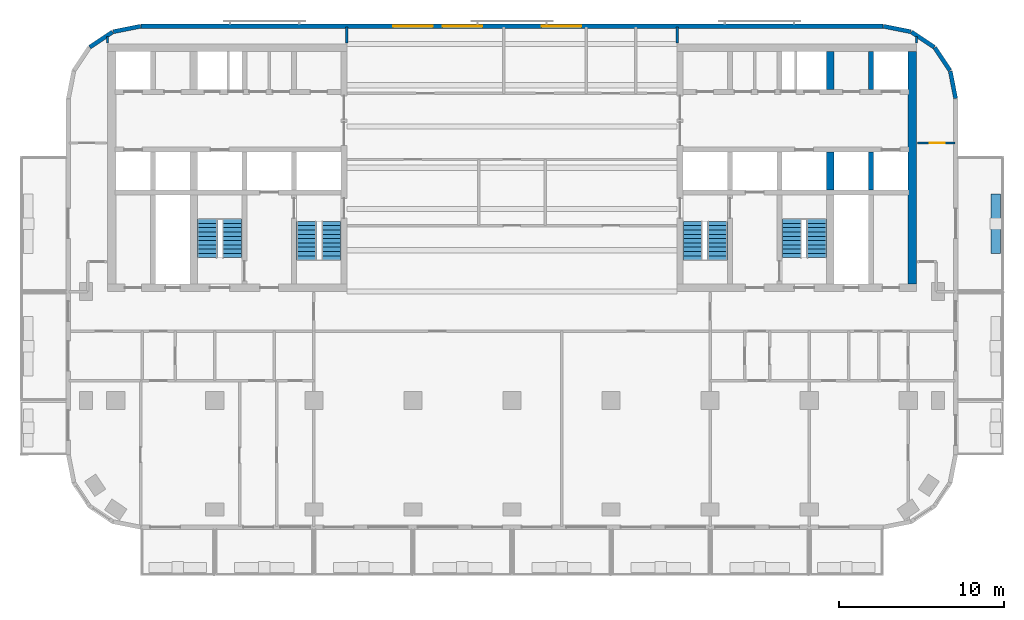
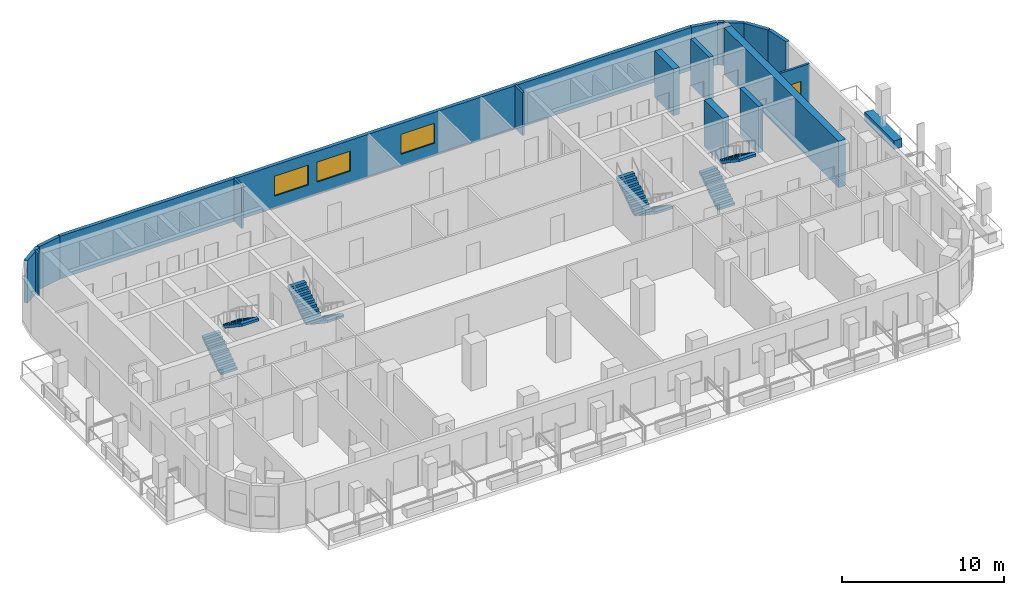
# One storey, part 7 of 11: 18 walls, 8 stair flights, 3 windows, 1 door, 4 openings, 4 elements without a shape of their own.
"""IFC4 building model written with IfcOpenShell, lengths in metres."""

from ifc_helpers import new_model, si_unit, direction, frame, frame_2d, origin, place, context, subcontext, project, spatial, polyline, rectangle, outline, extrude, material, layer, layer_set, type_object, element, fill, aggregate, save


model = new_model("IFC4")

# Units and contexts
model_context = context("Model", 3, precision=1e-05, world=origin(), true_north=direction((0.0, 1.0)))
body_context = subcontext(model_context, "Body", "Model", "MODEL_VIEW")
ifc_project = project(units=[si_unit("LENGTHUNIT", "METRE"), si_unit("AREAUNIT", "SQUARE_METRE"), si_unit("VOLUMEUNIT", "CUBIC_METRE"), si_unit("PLANEANGLEUNIT", "RADIAN"), si_unit("MASSUNIT", "GRAM", prefix="KILO")], contexts=[model_context])

# Site, building, storey
site_placement = place(None, origin())
site = spatial("IfcSite", under=ifc_project, at=site_placement, CompositionType="ELEMENT")
building_placement = place(site_placement, origin())
building = spatial("IfcBuilding", under=site, at=building_placement, Name="Torana Hotel and Residences", CompositionType="ELEMENT")
storey_placement = place(building_placement, frame((0.0, 0.0, 211.60009765625)))
storey = spatial("IfcBuildingStorey", under=building, at=storey_placement, Name="L55", CompositionType="ELEMENT", Elevation=211.60009765625)

# Walls
ifc_material_1 = material(Name="Concrete C70/85", Category="concrete")
ifc_layer_1 = layer(ifc_material_1, 0.300048828125)
ifc_layer_set_1 = layer_set([ifc_layer_1], Name="CORE WALL 300 C70/85")
wall_type_1 = type_object("IfcWallType", Name="CORE WALL 300 C70/85", PredefinedType="SHEAR", material=ifc_layer_set_1)
for number, where, z_axis, x_axis, name in (
    (1, (21.75, -2.75, 0.0), (0.0, 0.0, 1.0), (0.0, 1.0, 0.0), "Core wall E mm-N"),
    (2, (21.75, -8.85009765625, 0.0), (0.0, 0.0, 1.0), (0.0, 1.0, 0.0), "Core wall E mm-S"),
):
    element("IfcWall", number, at=place(storey_placement, frame(where, z_axis=z_axis, x_axis=x_axis)), inside=storey, type_object=wall_type_1, Name=name, PredefinedType="SHEAR", context=body_context, shape_type="SweptSolid", body=[
        extrude(rectangle(XDim=2.300048828125, YDim=0.300048828125, at=frame_2d((1.14990234375, 0.0))), origin(), (0.0, 0.0, 1.0), 3.5),
    ])
ifc_material_2 = material(Name="Concrete C70/85", Category="concrete")
ifc_layer_2 = layer(ifc_material_2, 0.449951171875)
ifc_layer_set_2 = layer_set([ifc_layer_2], Name="CORE WALL 450 C70/85")
wall_type_2 = type_object("IfcWallType", Name="CORE WALL 450 C70/85", PredefinedType="SHEAR", material=ifc_layer_set_2)
for number, where, z_axis, x_axis, name in (
    (3, (19.27490234375, -2.75, 0.0), (0.0, 0.0, 1.0), (0.0, 1.0, 0.0), "Core wall E hm-N"),
    (4, (19.27490234375, -8.85009765625, 0.0), (0.0, 0.0, 1.0), (0.0, 1.0, 0.0), "Core wall E hm-S"),
):
    element("IfcWall", number, at=place(storey_placement, frame(where, z_axis=z_axis, x_axis=x_axis)), inside=storey, type_object=wall_type_2, Name=name, PredefinedType="SHEAR", context=body_context, shape_type="SweptSolid", body=[
        extrude(rectangle(XDim=2.300048828125, YDim=0.449951171875, at=frame_2d((1.14990234375, 0.0))), origin(), (0.0, 0.0, 1.0), 3.5),
    ])
ifc_material_3 = material(Name="Concrete C70/85", Category="concrete")
ifc_layer_3 = layer(ifc_material_3, 0.5)
ifc_layer_set_3 = layer_set([ifc_layer_3], Name="CORE WALL 500 C70/85")
wall_type_3 = type_object("IfcWallType", Name="CORE WALL 500 C70/85", PredefinedType="SHEAR", material=ifc_layer_set_3)
wall_1_placement = place(storey_placement, frame((24.25, -14.550048828125, 0.0), z_axis=(0.0, 0.0, 1.0), x_axis=(0.0, 1.0, 0.0)))
element("IfcWall", 5, at=wall_1_placement, inside=storey, type_object=wall_type_3, Name="Core wall E outer", PredefinedType="SHEAR", context=body_context, shape_type="SweptSolid", body=[
    extrude(rectangle(XDim=14.10009765625, YDim=0.5, at=frame_2d((7.050048828125, 0.0))), origin(), (0.0, 0.0, 1.0), 3.5),
])
ifc_material_4 = material(Name="Black aluminium composite panel", Category="aluminium")
ifc_layer_4 = layer(ifc_material_4, 0.00390625, Name="Cladding", Category="cladding")
ifc_material_5 = material(Name="Ventilated air cavity")
ifc_layer_5 = layer(ifc_material_5, 0.0400390625, Name="Ventilated cavity", Category="cavity")
ifc_material_6 = material(Name="Mineral wool insulation")
ifc_layer_6 = layer(ifc_material_6, 0.090087890625, Name="Insulation", Category="insulation")
ifc_material_7 = material(Name="Steel S280GD", Category="steel")
ifc_layer_7 = layer(ifc_material_7, 0.092041015625, Name="Steel stud frame", Category="structure")
ifc_material_8 = material(Name="Fire rated plasterboard")
ifc_layer_8 = layer(ifc_material_8, 0.011962890625, Name="Inner board", Category="finish")
ifc_layer_9 = layer(ifc_material_8, 0.011962890625, Name="Second board", Category="finish")
ifc_layer_set_4 = layer_set([ifc_layer_4, ifc_layer_5, ifc_layer_6, ifc_layer_7, ifc_layer_8, ifc_layer_9], Name="EW1 EXTERNAL WALL BLACK METAL CLAD 250")
wall_type_4 = type_object("IfcWallType", Name="EW1 EXTERNAL WALL BLACK METAL CLAD 250", PredefinedType="SOLIDWALL", material=ifc_layer_set_4)
wall_2_placement = place(storey_placement, frame((26.87255859375, -3.30029296875, 0.0), z_axis=(0.0, 0.0, 1.0), x_axis=(-0.194999110559, 0.980803419081, 0.0)))
element("IfcWall", 6, at=wall_2_placement, inside=storey, type_object=wall_type_4, Name="External wall L55 e0.0", PredefinedType="SOLIDWALL", context=body_context, shape_type="SweptSolid", body=[
    extrude(rectangle(XDim=1.681396484375, YDim=0.25, at=frame_2d((0.8408203125, 0.0))), origin(), (0.0, 0.0, 1.0), 3.219970703125),
])
for number, where, z_axis, x_axis, name in (
    (7, (26.52587890625, -1.60595703125, 0.0), (0.0, 0.0, 1.0), (-0.55555029066, 0.831482937015, 0.0), "External wall L55 e0.1"),
    (8, (25.5712890625, -0.1943359375, 0.0), (0.0, 0.0, 1.0), (-0.831482937015, 0.55555029066, 0.0), "External wall L55 e0.2"),
):
    element("IfcWall", number, at=place(storey_placement, frame(where, z_axis=z_axis, x_axis=x_axis)), inside=storey, type_object=wall_type_4, Name=name, PredefinedType="SOLIDWALL", context=body_context, shape_type="SweptSolid", body=[
        extrude(rectangle(XDim=1.65625, YDim=0.25, at=frame_2d((0.828125, 0.0))), origin(), (0.0, 0.0, 1.0), 3.219970703125),
    ])
for number, where, z_axis, x_axis, name in (
    (9, (24.14892578125, 0.74462890625, 0.0), (0.0, 0.0, 1.0), (-0.980803419081, 0.194999110559, 0.0), "External wall L55 e0.3"),
    (10, (-22.499755859375, 1.072509765625, 0.0), (0.0, 0.0, 1.0), (-0.980803419081, -0.194999110559, 0.0), "External wall L55 e0.5"),
):
    element("IfcWall", number, at=place(storey_placement, frame(where, z_axis=z_axis, x_axis=x_axis)), inside=storey, type_object=wall_type_4, Name=name, PredefinedType="SOLIDWALL", context=body_context, shape_type="SweptSolid", body=[
        extrude(rectangle(XDim=1.681396484375, YDim=0.25, at=frame_2d((0.8408203125, 0.0))), origin(), (0.0, 0.0, 1.0), 3.219970703125),
    ])
wall_3_placement = place(storey_placement, frame((-24.194091796875, 0.725830078125, 0.0), z_axis=(0.0, 0.0, 1.0), x_axis=(-0.831482937015, -0.55555029066, 0.0)))
element("IfcWall", 11, at=wall_3_placement, inside=storey, type_object=wall_type_4, Name="External wall L55 e0.6", PredefinedType="SOLIDWALL", context=body_context, shape_type="SweptSolid", body=[
    extrude(rectangle(XDim=1.65625, YDim=0.25, at=frame_2d((0.828125, 0.0))), origin(), (0.0, 0.0, 1.0), 3.219970703125),
])

# Wall, openings, windows
ifc_material_9 = material(Name="Concrete C40/50 precast", Category="concrete")
ifc_layer_10 = layer(ifc_material_9, 0.10009765625, Name="Perforated block", Category="cladding")
ifc_material_10 = material(Name="Air cavity")
ifc_layer_11 = layer(ifc_material_10, 0.030029296875, Name="Cavity", Category="cavity")
ifc_material_11 = material(Name="Concrete C40/50", Category="concrete")
ifc_layer_12 = layer(ifc_material_11, 0.10009765625, Name="Wall", Category="structure")
ifc_material_12 = material(Name="Plaster and paint")
ifc_layer_13 = layer(ifc_material_12, 0.02001953125, Name="Inner finish", Category="finish")
ifc_layer_set_5 = layer_set([ifc_layer_10, ifc_layer_11, ifc_layer_12, ifc_layer_13], Name="EW2 PERFORATED BLOCK SCREEN WALL 250")
wall_type_5 = type_object("IfcWallType", Name="EW2 PERFORATED BLOCK SCREEN WALL 250", PredefinedType="SOLIDWALL", material=ifc_layer_set_5)
wall_4_placement = place(storey_placement, frame((22.475341796875, 1.074951171875, 0.0), z_axis=(0.0, 0.0, 1.0), x_axis=(-1.0, 0.0, 0.0)))
wall_4 = element("IfcWall", 12, at=wall_4_placement, inside=storey, type_object=wall_type_5, Name="External wall L55 e0.4", PredefinedType="SOLIDWALL", context=body_context, shape_type="SweptSolid", body=[
    extrude(rectangle(XDim=44.95068359375, YDim=0.25, at=frame_2d((22.475341796875, 0.0))), origin(), (0.0, 0.0, 1.0), 3.219970703125),
])
opening_1_placement = place(wall_4_placement, frame((18.275390625, 0.0, 0.89990234375)))
opening_1 = element("IfcOpeningElement", 13, at=opening_1_placement, cuts=wall_4, Name="Opening W3", PredefinedType="OPENING", context=body_context, shape_type="SweptSolid", body=[
    extrude(rectangle(XDim=2.39990234375, YDim=1.5, at=frame_2d((1.199951171875, 0.75))), frame((0.0, 0.135009765625, 0.0), z_axis=(0.0, -1.0, 0.0), x_axis=(1.0, 0.0, 0.0)), (0.0, 0.0, 1.0), 0.27001953125),
])
opening_2_placement = place(wall_4_placement, frame((24.275390625, 0.0, 0.89990234375)))
opening_2 = element("IfcOpeningElement", 14, at=opening_2_placement, cuts=wall_4, Name="Opening W3", PredefinedType="OPENING", context=body_context, shape_type="SweptSolid", body=[
    extrude(rectangle(XDim=2.39990234375, YDim=1.5, at=frame_2d((1.199951171875, 0.75))), frame((0.0, 0.135009765625, 0.0), z_axis=(0.0, -1.0, 0.0), x_axis=(1.0, 0.0, 0.0)), (0.0, 0.0, 1.0), 0.27001953125),
])
opening_3_placement = place(wall_4_placement, frame((27.275390625, 0.0, 0.89990234375)))
opening_3 = element("IfcOpeningElement", 15, at=opening_3_placement, cuts=wall_4, Name="Opening W3", PredefinedType="OPENING", context=body_context, shape_type="SweptSolid", body=[
    extrude(rectangle(XDim=2.39990234375, YDim=1.5, at=frame_2d((1.199951171875, 0.75))), frame((0.0, 0.135009765625, 0.0), z_axis=(0.0, -1.0, 0.0), x_axis=(1.0, 0.0, 0.0)), (0.0, 0.0, 1.0), 0.27001953125),
])
ifc_material_13 = material(Name="Dark glass in black aluminium frame", Category="aluminium")
window_type = type_object("IfcWindowType", Name="W3 RESIDENCE WINDOW 2400x1500", PartitioningType="SINGLE_PANEL", PredefinedType="WINDOW", material=ifc_material_13)
window_1_placement = place(opening_1_placement, origin())
window_1 = element("IfcWindow", 16, at=window_1_placement, inside=storey, type_object=window_type, Name="Window L55", OverallHeight=1.5, OverallWidth=2.39990234375, PartitioningType="SINGLE_PANEL", PredefinedType="WINDOW", context=body_context, shape_type="SweptSolid", body=[
    extrude(rectangle(XDim=2.39990234375, YDim=1.5, at=frame_2d((1.199951171875, 0.75))), frame((0.0, 0.030029296875, 0.0), z_axis=(0.0, -1.0, 0.0), x_axis=(1.0, 0.0, 0.0)), (0.0, 0.0, 1.0), 0.06005859375),
])
fill(opening_1, window_1)
window_2_placement = place(opening_2_placement, origin())
window_2 = element("IfcWindow", 17, at=window_2_placement, inside=storey, type_object=window_type, Name="Window L55", OverallHeight=1.5, OverallWidth=2.39990234375, PartitioningType="SINGLE_PANEL", PredefinedType="WINDOW", context=body_context, shape_type="SweptSolid", body=[
    extrude(rectangle(XDim=2.39990234375, YDim=1.5, at=frame_2d((1.199951171875, 0.75))), frame((0.0, 0.030029296875, 0.0), z_axis=(0.0, -1.0, 0.0), x_axis=(1.0, 0.0, 0.0)), (0.0, 0.0, 1.0), 0.06005859375),
])
fill(opening_2, window_2)
window_3_placement = place(opening_3_placement, origin())
window_3 = element("IfcWindow", 18, at=window_3_placement, inside=storey, type_object=window_type, Name="Window L55", OverallHeight=1.5, OverallWidth=2.39990234375, PartitioningType="SINGLE_PANEL", PredefinedType="WINDOW", context=body_context, shape_type="SweptSolid", body=[
    extrude(rectangle(XDim=2.39990234375, YDim=1.5, at=frame_2d((1.199951171875, 0.75))), frame((0.0, 0.030029296875, 0.0), z_axis=(0.0, -1.0, 0.0), x_axis=(1.0, 0.0, 0.0)), (0.0, 0.0, 1.0), 0.06005859375),
])
fill(opening_3, window_3)

# Walls
ifc_material_14 = material(Name="Gypsum plasterboard")
ifc_layer_14 = layer(ifc_material_14, 0.012451171875, Name="Plasterboard", Category="finish")
ifc_layer_15 = layer(ifc_material_14, 0.012451171875, Name="Plasterboard", Category="finish")
ifc_layer_16 = layer(ifc_material_7, 0.10009765625, Name="Steel studs with mineral wool", Category="insulation")
ifc_layer_17 = layer(ifc_material_14, 0.012451171875, Name="Plasterboard", Category="finish")
ifc_layer_18 = layer(ifc_material_14, 0.012451171875, Name="Plasterboard", Category="finish")
ifc_layer_set_6 = layer_set([ifc_layer_14, ifc_layer_15, ifc_layer_16, ifc_layer_17, ifc_layer_18], Name="PARTITION 150 PLASTERBOARD")
wall_type_6 = type_object("IfcWallType", Name="PARTITION 150 PLASTERBOARD", PredefinedType="PARTITIONING", material=ifc_layer_set_6)
wall_5_placement = place(storey_placement, frame((24.5, 0.050048828125, 0.0), z_axis=(0.0, 0.0, 1.0), x_axis=(0.0, 1.0, 0.0)))
element("IfcWall", 19, at=wall_5_placement, inside=storey, type_object=wall_type_6, Name="Partition L55", PredefinedType="PARTITIONING", context=body_context, shape_type="SweptSolid", body=[
    extrude(rectangle(XDim=0.4052734375, YDim=0.14990234375, at=frame_2d((0.20263671875, 0.0))), origin(), (0.0, 0.0, 1.0), 3.219970703125),
])
wall_6_placement = place(storey_placement, frame((-10.0, 0.050048828125, 0.0), z_axis=(0.0, 0.0, 1.0), x_axis=(0.0, 1.0, 0.0)))
element("IfcWall", 20, at=wall_6_placement, inside=storey, type_object=wall_type_6, Name="Partition L55", PredefinedType="PARTITIONING", context=body_context, shape_type="SweptSolid", body=[
    extrude(rectangle(XDim=0.969970703125, YDim=0.14990234375, at=frame_2d((0.48486328125, 0.0))), origin(), (0.0, 0.0, 1.0), 3.219970703125),
])
wall_7_placement = place(storey_placement, frame((-24.5, 0.050048828125, 0.0), z_axis=(0.0, 0.0, 1.0), x_axis=(0.0, 1.0, 0.0)))
element("IfcWall", 21, at=wall_7_placement, inside=storey, type_object=wall_type_6, Name="Partition L55", PredefinedType="PARTITIONING", context=body_context, shape_type="SweptSolid", body=[
    extrude(rectangle(XDim=0.4052734375, YDim=0.14990234375, at=frame_2d((0.20263671875, 0.0))), origin(), (0.0, 0.0, 1.0), 3.219970703125),
])

# Wall, opening, door
wall_8_placement = place(storey_placement, frame((24.550048828125, -6.0, 0.0), z_axis=(0.0, 0.0, 1.0), x_axis=(1.0, 0.0, 0.0)))
wall_8 = element("IfcWall", 22, at=wall_8_placement, inside=storey, type_object=wall_type_6, Name="Partition L55", PredefinedType="PARTITIONING", context=body_context, shape_type="SweptSolid", body=[
    extrude(rectangle(XDim=2.27001953125, YDim=0.14990234375, at=frame_2d((1.135009765625, 0.0))), origin(), (0.0, 0.0, 1.0), 3.219970703125),
])
opening_4_placement = place(wall_8_placement, frame((0.75, 0.0, 0.0)))
opening_4 = element("IfcOpeningElement", 23, at=opening_4_placement, cuts=wall_8, Name="Opening L55-65", PredefinedType="OPENING", context=body_context, shape_type="SweptSolid", body=[
    extrude(rectangle(XDim=0.89990234375, YDim=2.10009765625, at=frame_2d((0.449951171875, 1.050048828125))), frame((0.0, 0.0849609375, 0.0), z_axis=(0.0, -1.0, 0.0), x_axis=(1.0, 0.0, 0.0)), (0.0, 0.0, 1.0), 0.169921875),
])
ifc_material_15 = material(Name="Timber door, oiled ash", Category="wood")
door_type = type_object("IfcDoorType", Name="ROOM DOOR D7 900x2100", OperationType="SINGLE_SWING_LEFT", PredefinedType="DOOR", material=ifc_material_15)
door_placement = place(opening_4_placement, origin())
door = element("IfcDoor", 24, at=door_placement, inside=storey, type_object=door_type, Name="Door L55", OperationType="SINGLE_SWING_LEFT", OverallHeight=2.10009765625, OverallWidth=0.89990234375, PredefinedType="DOOR", context=body_context, shape_type="SweptSolid", body=[
    extrude(rectangle(XDim=0.89990234375, YDim=2.10009765625, at=frame_2d((0.449951171875, 1.050048828125))), frame((0.0, 0.02490234375, 0.0), z_axis=(0.0, -1.0, 0.0), x_axis=(1.0, 0.0, 0.0)), (0.0, 0.0, 1.0), 0.050048828125),
])
fill(opening_4, door)

# Walls
ifc_layer_19 = layer(ifc_material_9, 0.10009765625, Name="Planter shell", Category="structure")
ifc_material_16 = material(Name="Root resistant membrane")
ifc_layer_20 = layer(ifc_material_16, 0.00390625, Name="Waterproofing membrane", Category="membrane")
ifc_material_17 = material(Name="Drainage board with filter fleece")
ifc_layer_21 = layer(ifc_material_17, 0.02001953125, Name="Drainage board", Category="drainage")
ifc_material_18 = material(Name="Growing medium")
ifc_layer_22 = layer(ifc_material_18, 0.47607421875, Name="Planting substrate", Category="soil")
ifc_layer_set_7 = layer_set([ifc_layer_19, ifc_layer_20, ifc_layer_21, ifc_layer_22], Name="PL1 BALCONY PLANTER 600")
wall_type_7 = type_object("IfcWallType", Name="PL1 BALCONY PLANTER 600", PredefinedType="USERDEFINED", material=ifc_layer_set_7)
wall_9_placement = place(storey_placement, frame((29.300048828125, -9.10009765625, 0.0), z_axis=(0.0, 0.0, 1.0), x_axis=(0.0, -1.0, 0.0)))
element("IfcWall", 25, at=wall_9_placement, inside=storey, type_object=wall_type_7, Name="Planter 14", ObjectType="PLANTER", PredefinedType="USERDEFINED", context=body_context, shape_type="SweptSolid", body=[
    extrude(rectangle(XDim=3.599853515625, YDim=0.60009765625, at=frame_2d((1.7998046875, 0.0))), origin(), (0.0, 0.0, 1.0), 0.64990234375),
])
ifc_material_19 = material(Name="Ceramic tile on adhesive")
ifc_layer_23 = layer(ifc_material_19, 0.010009765625, Name="Wall tile", Category="finish")
ifc_material_20 = material(Name="Cement render")
ifc_layer_24 = layer(ifc_material_20, 0.010009765625, Name="Render", Category="finish")
ifc_material_21 = material(Name="Concrete blockwork", Category="masonry")
ifc_layer_25 = layer(ifc_material_21, 0.110107421875, Name="Blockwork", Category="structure")
ifc_layer_26 = layer(ifc_material_20, 0.010009765625, Name="Render", Category="finish")
ifc_layer_27 = layer(ifc_material_19, 0.010009765625, Name="Wall tile", Category="finish")
ifc_layer_set_8 = layer_set([ifc_layer_23, ifc_layer_24, ifc_layer_25, ifc_layer_26, ifc_layer_27], Name="WC PARTITION 150")
wall_type_8 = type_object("IfcWallType", Name="WC PARTITION 150", PredefinedType="PLUMBINGWALL", material=ifc_layer_set_8)
wall_10_placement = place(storey_placement, frame((10.0, 0.050048828125, 0.0), z_axis=(0.0, 0.0, 1.0), x_axis=(0.0, 1.0, 0.0)))
element("IfcWall", 26, at=wall_10_placement, inside=storey, type_object=wall_type_8, Name="Partition L55", PredefinedType="PLUMBINGWALL", context=body_context, shape_type="SweptSolid", body=[
    extrude(rectangle(XDim=0.969970703125, YDim=0.14990234375, at=frame_2d((0.48486328125, 0.0))), origin(), (0.0, 0.0, 1.0), 3.219970703125),
])

# Stair, stair flights
ifc_material_22 = material(Name="Concrete C40/50 precast", Category="concrete")
stair_type_1 = type_object("IfcStairType", Name="STAIR ST1 HALF TURN 1200", PredefinedType="HALF_TURN_STAIR", material=ifc_material_22)
stair_1_placement = place(storey_placement, origin())
stair_1 = element("IfcStair", 27, at=stair_1_placement, inside=storey, type_object=stair_type_1, Name="Stair ST1 L55", PredefinedType="HALF_TURN_STAIR")
ifc_material_23 = material(Name="Concrete C40/50 precast", Category="concrete")
stair_flight_type = type_object("IfcStairFlightType", Name="STAIR FLIGHT 1200 PRECAST", PredefinedType="STRAIGHT", material=ifc_material_23)
stair_flight_1_placement = place(storey_placement, frame((-10.949951171875, -10.75, 0.0), z_axis=(0.0, 0.0, 1.0), x_axis=(0.0, -1.0, 0.0)))
stair_flight_1 = element("IfcStairFlight", 28, at=stair_flight_1_placement, type_object=stair_flight_type, Name="ST1 flight 1", NumberOfRisers=10, NumberOfTreads=9, PredefinedType="STRAIGHT", RiserHeight=0.175, TreadLength=0.26, context=body_context, shape_type="SweptSolid", body=[
    extrude(outline(polyline([(0.0, 0.0), (0.0, 0.175048828125), (0.260009765625, 0.175048828125), (0.260009765625, 0.35009765625), (0.52001953125, 0.35009765625), (0.52001953125, 0.52490234375), (0.780029296875, 0.52490234375), (0.780029296875, 0.699951171875), (1.0400390625, 0.699951171875), (1.0400390625, 0.875), (1.300048828125, 0.875), (1.300048828125, 1.050048828125), (1.56005859375, 1.050048828125), (1.56005859375, 1.22509765625), (1.820068359375, 1.22509765625), (1.820068359375, 1.39990234375), (2.080078125, 1.39990234375), (2.080078125, 1.574951171875), (2.340087890625, 1.574951171875), (2.340087890625, 1.75), (2.340087890625, 1.394287109375), (0.2685546875, 0.0), (0.0, 0.0)])), frame((0.0, 0.60009765625, 0.0), z_axis=(0.0, -1.0, 0.0), x_axis=(1.0, 0.0, 0.0)), (0.0, 0.0, 1.0), 1.199951171875),
])
stair_flight_2_placement = place(storey_placement, frame((-12.449951171875, -13.090087890625, 1.75), z_axis=(0.0, 0.0, 1.0), x_axis=(0.0, 1.0, 0.0)))
stair_flight_2 = element("IfcStairFlight", 29, at=stair_flight_2_placement, type_object=stair_flight_type, Name="ST1 flight 2", NumberOfRisers=10, NumberOfTreads=9, PredefinedType="STRAIGHT", RiserHeight=0.175, TreadLength=0.26, context=body_context, shape_type="SweptSolid", body=[
    extrude(outline(polyline([(0.0, 0.0), (0.0, 0.175048828125), (0.260009765625, 0.175048828125), (0.260009765625, 0.35009765625), (0.52001953125, 0.35009765625), (0.52001953125, 0.52490234375), (0.780029296875, 0.52490234375), (0.780029296875, 0.699951171875), (1.0400390625, 0.699951171875), (1.0400390625, 0.875), (1.300048828125, 0.875), (1.300048828125, 1.050048828125), (1.56005859375, 1.050048828125), (1.56005859375, 1.22509765625), (1.820068359375, 1.22509765625), (1.820068359375, 1.39990234375), (2.080078125, 1.39990234375), (2.080078125, 1.574951171875), (2.340087890625, 1.574951171875), (2.340087890625, 1.75), (2.340087890625, 1.394287109375), (0.2685546875, 0.0), (0.0, 0.0)])), frame((0.0, 0.60009765625, 0.0), z_axis=(0.0, -1.0, 0.0), x_axis=(1.0, 0.0, 0.0)), (0.0, 0.0, 1.0), 1.199951171875),
])
aggregate(stair_1, [stair_flight_1, stair_flight_2])

ifc_material_24 = material(Name="Concrete C40/50 precast", Category="concrete")
stair_type_2 = type_object("IfcStairType", Name="STAIR ST2 HALF TURN 1200", PredefinedType="HALF_TURN_STAIR", material=ifc_material_24)
stair_2_placement = place(storey_placement, origin())
stair_2 = element("IfcStair", 30, at=stair_2_placement, inside=storey, type_object=stair_type_2, Name="Stair ST2 L55", PredefinedType="HALF_TURN_STAIR")
stair_flight_3_placement = place(storey_placement, frame((-18.449951171875, -12.949951171875, 0.0), z_axis=(0.0, 0.0, 1.0), x_axis=(0.0, 1.0, 0.0)))
stair_flight_3 = element("IfcStairFlight", 31, at=stair_flight_3_placement, type_object=stair_flight_type, Name="ST2 flight 1", NumberOfRisers=10, NumberOfTreads=9, PredefinedType="STRAIGHT", RiserHeight=0.175, TreadLength=0.26, context=body_context, shape_type="SweptSolid", body=[
    extrude(outline(polyline([(0.0, 0.0), (0.0, 0.175048828125), (0.260009765625, 0.175048828125), (0.260009765625, 0.35009765625), (0.52001953125, 0.35009765625), (0.52001953125, 0.52490234375), (0.780029296875, 0.52490234375), (0.780029296875, 0.699951171875), (1.0400390625, 0.699951171875), (1.0400390625, 0.875), (1.300048828125, 0.875), (1.300048828125, 1.050048828125), (1.56005859375, 1.050048828125), (1.56005859375, 1.22509765625), (1.820068359375, 1.22509765625), (1.820068359375, 1.39990234375), (2.080078125, 1.39990234375), (2.080078125, 1.574951171875), (2.340087890625, 1.574951171875), (2.340087890625, 1.75), (2.340087890625, 1.394287109375), (0.2685546875, 0.0), (0.0, 0.0)])), frame((0.0, 0.60009765625, 0.0), z_axis=(0.0, -1.0, 0.0), x_axis=(1.0, 0.0, 0.0)), (0.0, 0.0, 1.0), 1.199951171875),
])
stair_flight_4_placement = place(storey_placement, frame((-16.949951171875, -10.610107421875, 1.75), z_axis=(0.0, 0.0, 1.0), x_axis=(0.0, -1.0, 0.0)))
stair_flight_4 = element("IfcStairFlight", 32, at=stair_flight_4_placement, type_object=stair_flight_type, Name="ST2 flight 2", NumberOfRisers=10, NumberOfTreads=9, PredefinedType="STRAIGHT", RiserHeight=0.175, TreadLength=0.26, context=body_context, shape_type="SweptSolid", body=[
    extrude(outline(polyline([(0.0, 0.0), (0.0, 0.175048828125), (0.260009765625, 0.175048828125), (0.260009765625, 0.35009765625), (0.52001953125, 0.35009765625), (0.52001953125, 0.52490234375), (0.780029296875, 0.52490234375), (0.780029296875, 0.699951171875), (1.0400390625, 0.699951171875), (1.0400390625, 0.875), (1.300048828125, 0.875), (1.300048828125, 1.050048828125), (1.56005859375, 1.050048828125), (1.56005859375, 1.22509765625), (1.820068359375, 1.22509765625), (1.820068359375, 1.39990234375), (2.080078125, 1.39990234375), (2.080078125, 1.574951171875), (2.340087890625, 1.574951171875), (2.340087890625, 1.75), (2.340087890625, 1.394287109375), (0.2685546875, 0.0), (0.0, 0.0)])), frame((0.0, 0.60009765625, 0.0), z_axis=(0.0, -1.0, 0.0), x_axis=(1.0, 0.0, 0.0)), (0.0, 0.0, 1.0), 1.199951171875),
])
aggregate(stair_2, [stair_flight_3, stair_flight_4])

ifc_material_25 = material(Name="Concrete C40/50 precast", Category="concrete")
stair_type_3 = type_object("IfcStairType", Name="STAIR ST3 HALF TURN 1200", PredefinedType="HALF_TURN_STAIR", material=ifc_material_25)
stair_3_placement = place(storey_placement, origin())
stair_3 = element("IfcStair", 33, at=stair_3_placement, inside=storey, type_object=stair_type_3, Name="Stair ST3 L55", PredefinedType="HALF_TURN_STAIR")
stair_flight_5_placement = place(storey_placement, frame((12.449951171875, -10.75, 0.0), z_axis=(0.0, 0.0, 1.0), x_axis=(0.0, -1.0, 0.0)))
stair_flight_5 = element("IfcStairFlight", 34, at=stair_flight_5_placement, type_object=stair_flight_type, Name="ST3 flight 1", NumberOfRisers=10, NumberOfTreads=9, PredefinedType="STRAIGHT", RiserHeight=0.175, TreadLength=0.26, context=body_context, shape_type="SweptSolid", body=[
    extrude(outline(polyline([(0.0, 0.0), (0.0, 0.175048828125), (0.260009765625, 0.175048828125), (0.260009765625, 0.35009765625), (0.52001953125, 0.35009765625), (0.52001953125, 0.52490234375), (0.780029296875, 0.52490234375), (0.780029296875, 0.699951171875), (1.0400390625, 0.699951171875), (1.0400390625, 0.875), (1.300048828125, 0.875), (1.300048828125, 1.050048828125), (1.56005859375, 1.050048828125), (1.56005859375, 1.22509765625), (1.820068359375, 1.22509765625), (1.820068359375, 1.39990234375), (2.080078125, 1.39990234375), (2.080078125, 1.574951171875), (2.340087890625, 1.574951171875), (2.340087890625, 1.75), (2.340087890625, 1.394287109375), (0.2685546875, 0.0), (0.0, 0.0)])), frame((0.0, 0.60009765625, 0.0), z_axis=(0.0, -1.0, 0.0), x_axis=(1.0, 0.0, 0.0)), (0.0, 0.0, 1.0), 1.199951171875),
])
stair_flight_6_placement = place(storey_placement, frame((10.949951171875, -13.090087890625, 1.75), z_axis=(0.0, 0.0, 1.0), x_axis=(0.0, 1.0, 0.0)))
stair_flight_6 = element("IfcStairFlight", 35, at=stair_flight_6_placement, type_object=stair_flight_type, Name="ST3 flight 2", NumberOfRisers=10, NumberOfTreads=9, PredefinedType="STRAIGHT", RiserHeight=0.175, TreadLength=0.26, context=body_context, shape_type="SweptSolid", body=[
    extrude(outline(polyline([(0.0, 0.0), (0.0, 0.175048828125), (0.260009765625, 0.175048828125), (0.260009765625, 0.35009765625), (0.52001953125, 0.35009765625), (0.52001953125, 0.52490234375), (0.780029296875, 0.52490234375), (0.780029296875, 0.699951171875), (1.0400390625, 0.699951171875), (1.0400390625, 0.875), (1.300048828125, 0.875), (1.300048828125, 1.050048828125), (1.56005859375, 1.050048828125), (1.56005859375, 1.22509765625), (1.820068359375, 1.22509765625), (1.820068359375, 1.39990234375), (2.080078125, 1.39990234375), (2.080078125, 1.574951171875), (2.340087890625, 1.574951171875), (2.340087890625, 1.75), (2.340087890625, 1.394287109375), (0.2685546875, 0.0), (0.0, 0.0)])), frame((0.0, 0.60009765625, 0.0), z_axis=(0.0, -1.0, 0.0), x_axis=(1.0, 0.0, 0.0)), (0.0, 0.0, 1.0), 1.199951171875),
])
aggregate(stair_3, [stair_flight_5, stair_flight_6])

ifc_material_26 = material(Name="Concrete C40/50 precast", Category="concrete")
stair_type_4 = type_object("IfcStairType", Name="STAIR ST4 HALF TURN 1200", PredefinedType="HALF_TURN_STAIR", material=ifc_material_26)
stair_4_placement = place(storey_placement, origin())
stair_4 = element("IfcStair", 36, at=stair_4_placement, inside=storey, type_object=stair_type_4, Name="Stair ST4 L55", PredefinedType="HALF_TURN_STAIR")
stair_flight_7_placement = place(storey_placement, frame((16.949951171875, -12.949951171875, 0.0), z_axis=(0.0, 0.0, 1.0), x_axis=(0.0, 1.0, 0.0)))
stair_flight_7 = element("IfcStairFlight", 37, at=stair_flight_7_placement, type_object=stair_flight_type, Name="ST4 flight 1", NumberOfRisers=10, NumberOfTreads=9, PredefinedType="STRAIGHT", RiserHeight=0.175, TreadLength=0.26, context=body_context, shape_type="SweptSolid", body=[
    extrude(outline(polyline([(0.0, 0.0), (0.0, 0.175048828125), (0.260009765625, 0.175048828125), (0.260009765625, 0.35009765625), (0.52001953125, 0.35009765625), (0.52001953125, 0.52490234375), (0.780029296875, 0.52490234375), (0.780029296875, 0.699951171875), (1.0400390625, 0.699951171875), (1.0400390625, 0.875), (1.300048828125, 0.875), (1.300048828125, 1.050048828125), (1.56005859375, 1.050048828125), (1.56005859375, 1.22509765625), (1.820068359375, 1.22509765625), (1.820068359375, 1.39990234375), (2.080078125, 1.39990234375), (2.080078125, 1.574951171875), (2.340087890625, 1.574951171875), (2.340087890625, 1.75), (2.340087890625, 1.394287109375), (0.2685546875, 0.0), (0.0, 0.0)])), frame((0.0, 0.60009765625, 0.0), z_axis=(0.0, -1.0, 0.0), x_axis=(1.0, 0.0, 0.0)), (0.0, 0.0, 1.0), 1.199951171875),
])
stair_flight_8_placement = place(storey_placement, frame((18.449951171875, -10.610107421875, 1.75), z_axis=(0.0, 0.0, 1.0), x_axis=(0.0, -1.0, 0.0)))
stair_flight_8 = element("IfcStairFlight", 38, at=stair_flight_8_placement, type_object=stair_flight_type, Name="ST4 flight 2", NumberOfRisers=10, NumberOfTreads=9, PredefinedType="STRAIGHT", RiserHeight=0.175, TreadLength=0.26, context=body_context, shape_type="SweptSolid", body=[
    extrude(outline(polyline([(0.0, 0.0), (0.0, 0.175048828125), (0.260009765625, 0.175048828125), (0.260009765625, 0.35009765625), (0.52001953125, 0.35009765625), (0.52001953125, 0.52490234375), (0.780029296875, 0.52490234375), (0.780029296875, 0.699951171875), (1.0400390625, 0.699951171875), (1.0400390625, 0.875), (1.300048828125, 0.875), (1.300048828125, 1.050048828125), (1.56005859375, 1.050048828125), (1.56005859375, 1.22509765625), (1.820068359375, 1.22509765625), (1.820068359375, 1.39990234375), (2.080078125, 1.39990234375), (2.080078125, 1.574951171875), (2.340087890625, 1.574951171875), (2.340087890625, 1.75), (2.340087890625, 1.394287109375), (0.2685546875, 0.0), (0.0, 0.0)])), frame((0.0, 0.60009765625, 0.0), z_axis=(0.0, -1.0, 0.0), x_axis=(1.0, 0.0, 0.0)), (0.0, 0.0, 1.0), 1.199951171875),
])
aggregate(stair_4, [stair_flight_7, stair_flight_8])

save(model, "model.ifc")
